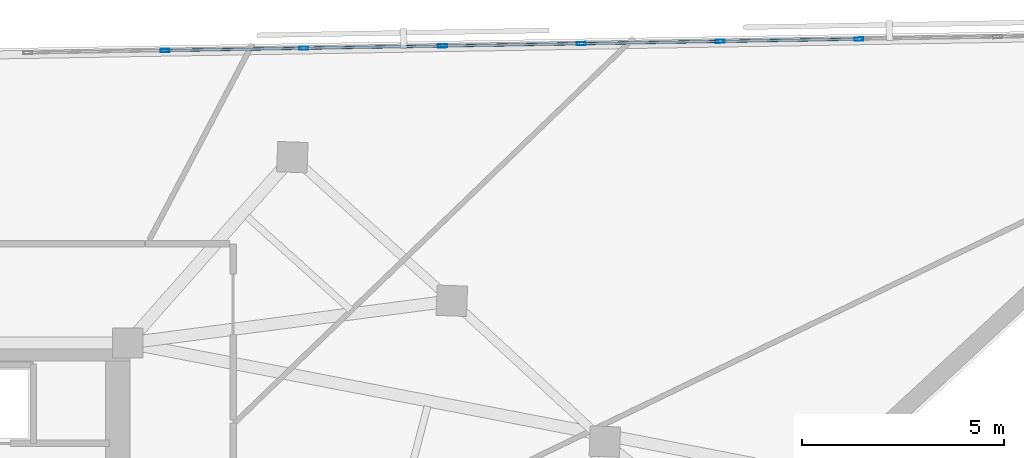
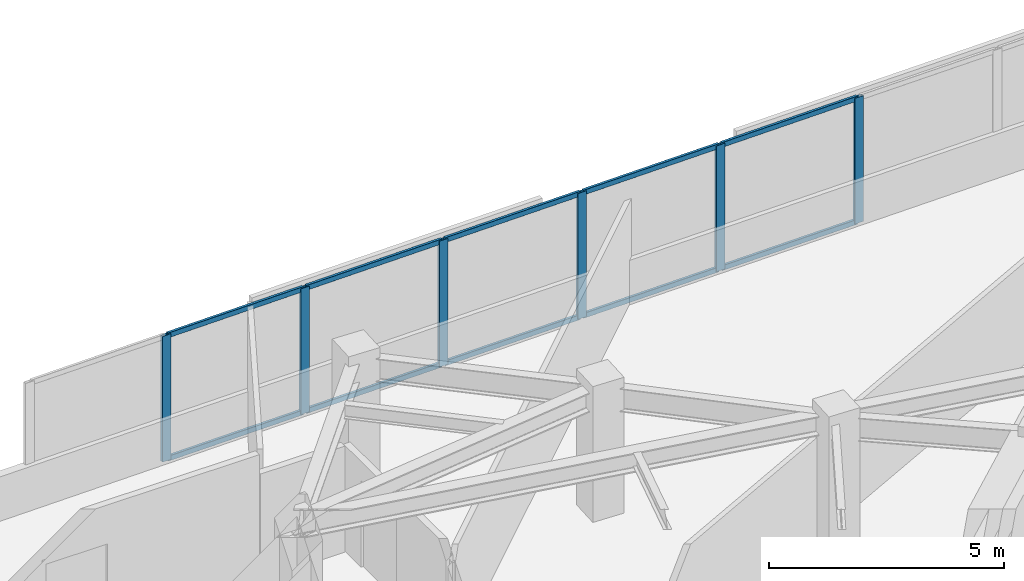
# One storey, part 5 of 11: 16 members, 1 element without a shape of its own.
"""IFC4 building model written with IfcOpenShell, lengths in metres."""

import ifcopenshell
import ifcopenshell.guid

model = None  # the IFC model being written
_history = None  # IfcOwnerHistory: only IFC2X3 demands one
_inside = {}  # id of a spatial element -> (the spatial element, [elements in it])
_under = {}  # id of a project, library or spatial element -> (it, [spatial elements below it])
_declared = {}  # id of a project -> (the project, [libraries it declares])
_typed = {}  # id of a type object -> (the type object, [elements of that type])
_made_of = {}  # id of a material, layer set ... -> (it, [elements and type objects made of it])


def new_model(schema):
    """Start an empty IFC model of exactly this schema.

    Asked for "IFC4X3", IfcOpenShell would pick the latest addendum, in which some entities
    have other attributes; the version numbers below select the first issue.
    IFC2X3 requires an IfcOwnerHistory on every rooted entity: one is made here for all.
    """
    global model, _history
    if schema == "IFC4X3":
        model = ifcopenshell.file(schema_version=(4, 3, 0, 0))
    else:
        model = ifcopenshell.file(schema=schema)
    _inside.clear()
    _under.clear()
    _declared.clear()
    _typed.clear()
    _made_of.clear()
    _history = None
    if model.schema == "IFC2X3":
        org = make("IfcOrganization", Name="unknown")
        user = make(
            "IfcPersonAndOrganization",
            ThePerson=make("IfcPerson", FamilyName="unknown"),
            TheOrganization=org,
        )
        app = make(
            "IfcApplication",
            ApplicationDeveloper=org,
            Version="unknown",
            ApplicationFullName="unknown",
            ApplicationIdentifier="unknown",
        )
        _history = make(
            "IfcOwnerHistory",
            OwningUser=user,
            OwningApplication=app,
            ChangeAction="ADDED",
            CreationDate=0,
        )
    return model


def make(cls, **values):
    """One entity of the class cls with the attributes given. An attribute that is None is left unset."""
    return model.create_entity(
        cls, **{name: value for name, value in values.items() if value is not None}
    )


def rooted(cls, **values):
    """An entity with a GlobalId (a new one), such as an element, a storey or a relation."""
    return make(cls, GlobalId=ifcopenshell.guid.new(), OwnerHistory=_history, **values)


def si_unit(unit_type, name, prefix=None):
    """IfcSIUnit, for example si_unit("LENGTHUNIT", "METRE", prefix="MILLI")."""
    return make("IfcSIUnit", UnitType=unit_type, Prefix=prefix, Name=name)


def assignment(units):
    """IfcUnitAssignment: the units of a project."""
    return None if units is None else make("IfcUnitAssignment", Units=units)


def point(xyz):
    """IfcCartesianPoint."""
    return None if xyz is None else make("IfcCartesianPoint", Coordinates=xyz)


def direction(xyz):
    """IfcDirection."""
    return None if xyz is None else make("IfcDirection", DirectionRatios=xyz)


def frame(location, z_axis=None, x_axis=None):
    """IfcAxis2Placement3D, a coordinate frame: its origin and axes. An axis left out is left unset."""
    return make(
        "IfcAxis2Placement3D",
        Location=point(location),
        Axis=direction(z_axis),
        RefDirection=direction(x_axis),
    )


def frame_2d(location, x_axis=None):
    """IfcAxis2Placement2D, a coordinate frame in the plane: its origin and x axis."""
    return make(
        "IfcAxis2Placement2D", Location=point(location), RefDirection=direction(x_axis)
    )


def origin():
    """The frame at (0, 0, 0) with its axes left unset."""
    return frame((0.0, 0.0, 0.0))


def origin_2d():
    """The frame at (0, 0) in the plane with its x axis left unset."""
    return frame_2d((0.0, 0.0))


def place(relative_to, where):
    """IfcLocalPlacement: puts the frame where relative to a parent placement (None: the world)."""
    return make(
        "IfcLocalPlacement", PlacementRelTo=relative_to, RelativePlacement=where
    )


def context(
    kind, dimensions, precision=None, world=None, true_north=None, identifier=None
):
    """IfcGeometricRepresentationContext, for example the 3D "Model" context."""
    return make(
        "IfcGeometricRepresentationContext",
        ContextIdentifier=identifier,
        ContextType=kind,
        CoordinateSpaceDimension=dimensions,
        Precision=precision,
        WorldCoordinateSystem=world,
        TrueNorth=true_north,
    )


def subcontext(parent, identifier, kind, view, scale=None):
    """IfcGeometricRepresentationSubContext, for example "Body" below "Model"."""
    return make(
        "IfcGeometricRepresentationSubContext",
        ContextIdentifier=identifier,
        ContextType=kind,
        ParentContext=parent,
        TargetScale=scale,
        TargetView=view,
    )


def project(units=None, contexts=None):
    """IfcProject with its units and contexts."""
    return rooted(
        "IfcProject",
        Name="project",
        RepresentationContexts=contexts,
        UnitsInContext=assignment(units),
    )


def spatial(cls, under=None, at=None, **own):
    """A site, building, storey or space (cls), placed at a placement, below another one or the project."""
    s = rooted(cls, ObjectPlacement=at, **own)
    if under is not None:
        _under.setdefault(under.id(), (under, []))[1].append(s)
    return s


def profile(cls, at=None, kind="AREA", **sizes):
    """A parametric profile (cls). Its sizes go by their IFC names, for example OverallWidth=200.0."""
    return make(cls, ProfileType=kind, Position=at, **sizes)


def hollow_rectangle(**sizes):
    """IfcRectangleHollowProfileDef."""
    return profile("IfcRectangleHollowProfileDef", **sizes)


def extrude(swept, where, along, depth):
    """IfcExtrudedAreaSolid: the profile swept, set in the frame where, extruded along a direction by depth."""
    return make(
        "IfcExtrudedAreaSolid",
        SweptArea=swept,
        Position=where,
        ExtrudedDirection=direction(along),
        Depth=depth,
    )


def shape(context_of_items, identifier, shape_type, items):
    """IfcShapeRepresentation: the items that make up one representation, for example the "Body"."""
    return make(
        "IfcShapeRepresentation",
        ContextOfItems=context_of_items,
        RepresentationIdentifier=identifier,
        RepresentationType=shape_type,
        Items=items,
    )


def material(Name=None, Category=None):
    """IfcMaterial."""
    return make("IfcMaterial", Name=Name, Category=Category)


def material_profile(
    of_material, cross_section, Name=None, Category=None, Priority=None
):
    """IfcMaterialProfile: a cross section and its material."""
    return make(
        "IfcMaterialProfile",
        Name=Name,
        Material=of_material,
        Profile=cross_section,
        Priority=Priority,
        Category=Category,
    )


def profile_set(profiles, Name=None, composite=None):
    """IfcMaterialProfileSet."""
    return make(
        "IfcMaterialProfileSet",
        Name=Name,
        MaterialProfiles=profiles,
        CompositeProfile=composite,
    )


def made_of(thing, what):
    """Note that an element or type object is made of a material, layer set ...; save() writes the relation."""
    if what is not None:
        _made_of.setdefault(what.id(), (what, []))[1].append(thing)
    return thing


def type_object(cls, material=None, **own):
    """A type object (cls), such as IfcWallType, which elements share."""
    return made_of(rooted(cls, **own), material)


def element(
    cls,
    number,
    at=None,
    inside=None,
    cuts=None,
    type_object=None,
    material=None,
    context=None,
    identifier="Body",
    shape_type=None,
    held_by="IfcProductDefinitionShape",
    body=None,
    shapes=None,
    **own,
):
    """One element of the class cls, such as IfcWall. Its Tag is "e" and its number.

    at: its placement. inside: the storey or other place that contains it. cuts: it is an
    opening in that element (IfcRelVoidsElement). A single representation is given by context,
    identifier, shape_type and body (its items); several are given by shapes. held_by: the class
    of the entity that holds the representations. save() writes the other relations.
    """
    e = rooted(cls, Tag="e%d" % number, ObjectPlacement=at, **own)
    if body is not None:
        shapes = [shape(context, identifier, shape_type, body)]
    if shapes is not None:
        e.Representation = make(held_by, Representations=shapes)
    if inside is not None:
        _inside.setdefault(inside.id(), (inside, []))[1].append(e)
    if cuts is not None:
        rooted(
            "IfcRelVoidsElement", RelatingBuildingElement=cuts, RelatedOpeningElement=e
        )
    if type_object is not None:
        _typed.setdefault(type_object.id(), (type_object, []))[1].append(e)
    return made_of(e, material)


def aggregate(whole, parts):
    """IfcRelAggregates: a whole, such as a stair, and the parts it consists of."""
    return rooted("IfcRelAggregates", RelatingObject=whole, RelatedObjects=parts)


def save(model, path):
    """Write the relations noted so far, then the file.

    IfcRelAggregates (storeys below a building ...), IfcRelContainedInSpatialStructure (elements
    in a storey), IfcRelDefinesByType, IfcRelAssociatesMaterial and IfcRelDeclares: one each for
    every whole, place, type object, material and project.
    """
    for whole, parts in _under.values():
        aggregate(whole, parts)
    for where, things in _inside.values():
        rooted(
            "IfcRelContainedInSpatialStructure",
            RelatedElements=things,
            RelatingStructure=where,
        )
    for kind, things in _typed.values():
        rooted("IfcRelDefinesByType", RelatedObjects=things, RelatingType=kind)
    for what, things in _made_of.values():
        rooted("IfcRelAssociatesMaterial", RelatedObjects=things, RelatingMaterial=what)
    for by, libraries in _declared.values():
        rooted("IfcRelDeclares", RelatingContext=by, RelatedDefinitions=libraries)
    model.write(path)


model = new_model("IFC4")

# Units and contexts
model_context = context("Model", 3, precision=1e-05, world=origin(), true_north=direction((0.0, 1.0)))
body_context = subcontext(model_context, "Body", "Model", "MODEL_VIEW")
ifc_project = project(units=[si_unit("LENGTHUNIT", "METRE"), si_unit("AREAUNIT", "SQUARE_METRE"), si_unit("VOLUMEUNIT", "CUBIC_METRE"), si_unit("PLANEANGLEUNIT", "RADIAN"), si_unit("MASSUNIT", "GRAM", prefix="KILO")], contexts=[model_context])

# Site, building, storey
site_placement = place(None, origin())
site = spatial("IfcSite", under=ifc_project, at=site_placement, CompositionType="ELEMENT")
building_placement = place(site_placement, origin())
building = spatial("IfcBuilding", under=site, at=building_placement, Name="Narakoshi Arena Tower", CompositionType="ELEMENT")
storey_placement = place(building_placement, frame((0.0, 0.0, 285.3798828125)))
storey = spatial("IfcBuildingStorey", under=building, at=storey_placement, Name="L78", CompositionType="ELEMENT", Elevation=285.3798828125)

# Curtain wall, members
ifc_material = material(Name="Anodised bronze aluminium 6063-T6", Category="aluminium")
curtain_wall_type = type_object("IfcCurtainWallType", Name="CW-HYP-HIGH", PredefinedType="NOTDEFINED", material=ifc_material)
curtain_wall_placement = place(storey_placement, origin())
curtain_wall = element("IfcCurtainWall", 1, at=curtain_wall_placement, inside=storey, type_object=curtain_wall_type, Name="L78 Folded Hypotenuse Curtain Wall 1-1", PredefinedType="NOTDEFINED")
ifc_material_profile_1 = material_profile(ifc_material, hollow_rectangle(XDim=0.080078125, YDim=0.219970703125, WallThickness=0.0048828125, OuterFilletRadius=0.006103515625, at=origin_2d()), Name="MUL220x80x5")
ifc_profile_set_1 = profile_set([ifc_material_profile_1], Name="Anodised bronze aluminium 6063-T6")
member_type_1 = type_object("IfcMemberType", Name="MEM-MUL-220", PredefinedType="MULLION", material=ifc_profile_set_1)
member_1_placement = place(storey_placement, frame((103.604248046875, 64.005615234375, 0.0), z_axis=(0.0, 0.0, 1.0), x_axis=(0.016442997569, -0.999864804777, 0.0)))
member_1 = element("IfcMember", 2, at=member_1_placement, type_object=member_type_1, Name="CW-03 mullion 3", PredefinedType="MULLION", context=body_context, shape_type="SweptSolid", body=[
    extrude(hollow_rectangle(XDim=0.080078125, YDim=0.219970703125, WallThickness=0.0048828125, OuterFilletRadius=0.006103515625, at=origin_2d()), origin(), (0.0, 0.0, 1.0), 3.260009765625),
])
member_2_placement = place(storey_placement, frame((100.177001953125, 63.94921875, 0.0), z_axis=(0.0, 0.0, 1.0), x_axis=(0.016442997569, -0.999864804777, 0.0)))
member_2 = element("IfcMember", 3, at=member_2_placement, type_object=member_type_1, Name="CW-03 mullion 4", PredefinedType="MULLION", context=body_context, shape_type="SweptSolid", body=[
    extrude(hollow_rectangle(XDim=0.080078125, YDim=0.219970703125, WallThickness=0.0048828125, OuterFilletRadius=0.006103515625, at=origin_2d()), origin(), (0.0, 0.0, 1.0), 3.260009765625),
])
member_3_placement = place(storey_placement, frame((96.749755859375, 63.89306640625, 0.0), z_axis=(0.0, 0.0, 1.0), x_axis=(0.016442997569, -0.999864804777, 0.0)))
member_3 = element("IfcMember", 4, at=member_3_placement, type_object=member_type_1, Name="CW-03 mullion 5", PredefinedType="MULLION", context=body_context, shape_type="SweptSolid", body=[
    extrude(hollow_rectangle(XDim=0.080078125, YDim=0.219970703125, WallThickness=0.0048828125, OuterFilletRadius=0.006103515625, at=origin_2d()), origin(), (0.0, 0.0, 1.0), 3.260009765625),
])
member_4_placement = place(storey_placement, frame((93.322509765625, 63.836669921875, 0.0), z_axis=(0.0, 0.0, 1.0), x_axis=(0.016442997569, -0.999864804777, 0.0)))
member_4 = element("IfcMember", 5, at=member_4_placement, type_object=member_type_1, Name="CW-03 mullion 6", PredefinedType="MULLION", context=body_context, shape_type="SweptSolid", body=[
    extrude(hollow_rectangle(XDim=0.080078125, YDim=0.219970703125, WallThickness=0.0048828125, OuterFilletRadius=0.006103515625, at=origin_2d()), origin(), (0.0, 0.0, 1.0), 3.260009765625),
])
member_5_placement = place(storey_placement, frame((89.895263671875, 63.7802734375, 0.0), z_axis=(0.0, 0.0, 1.0), x_axis=(0.016442997569, -0.999864804777, 0.0)))
member_5 = element("IfcMember", 6, at=member_5_placement, type_object=member_type_1, Name="CW-03 mullion 7", PredefinedType="MULLION", context=body_context, shape_type="SweptSolid", body=[
    extrude(hollow_rectangle(XDim=0.080078125, YDim=0.219970703125, WallThickness=0.0048828125, OuterFilletRadius=0.006103515625, at=origin_2d()), origin(), (0.0, 0.0, 1.0), 3.260009765625),
])
member_6_placement = place(storey_placement, frame((86.4677734375, 63.723876953125, 0.0), z_axis=(0.0, 0.0, 1.0), x_axis=(0.016442997569, -0.999864804777, 0.0)))
member_6 = element("IfcMember", 7, at=member_6_placement, type_object=member_type_1, Name="CW-03 mullion 8", PredefinedType="MULLION", context=body_context, shape_type="SweptSolid", body=[
    extrude(hollow_rectangle(XDim=0.080078125, YDim=0.219970703125, WallThickness=0.0048828125, OuterFilletRadius=0.006103515625, at=origin_2d()), origin(), (0.0, 0.0, 1.0), 3.260009765625),
])
ifc_material_profile_2 = material_profile(ifc_material, hollow_rectangle(XDim=0.06494140625, YDim=0.1298828125, WallThickness=0.00390625, OuterFilletRadius=0.0048828125, at=origin_2d()), Name="TRN130x65x4")
ifc_profile_set_2 = profile_set([ifc_material_profile_2], Name="Anodised bronze aluminium 6063-T6")
member_type_2 = type_object("IfcMemberType", Name="MEM-TRN-130", PredefinedType="USERDEFINED", material=ifc_profile_set_2)
member_7_placement = place(storey_placement, frame((103.564208984375, 64.005126953125, 0.03271484375), z_axis=(-0.999864161313, -0.016482078808, 0.0), x_axis=(0.016482078808, -0.999864161313, 0.0)))
member_7 = element("IfcMember", 8, at=member_7_placement, type_object=member_type_2, Name="CW-03 transom 3.1", ObjectType="TRANSOM", PredefinedType="USERDEFINED", context=body_context, shape_type="SweptSolid", body=[
    extrude(hollow_rectangle(XDim=0.06494140625, YDim=0.1298828125, WallThickness=0.00390625, OuterFilletRadius=0.0048828125, at=origin_2d()), origin(), (0.0, 0.0, 1.0), 3.34765625),
])
member_8_placement = place(storey_placement, frame((103.564208984375, 64.005126953125, 3.2275390625), z_axis=(-0.999864161313, -0.016482078808, 0.0), x_axis=(0.016482078808, -0.999864161313, 0.0)))
member_8 = element("IfcMember", 9, at=member_8_placement, type_object=member_type_2, Name="CW-03 transom 3.2", ObjectType="TRANSOM", PredefinedType="USERDEFINED", context=body_context, shape_type="SweptSolid", body=[
    extrude(hollow_rectangle(XDim=0.06494140625, YDim=0.1298828125, WallThickness=0.00390625, OuterFilletRadius=0.0048828125, at=origin_2d()), origin(), (0.0, 0.0, 1.0), 3.34765625),
])
member_9_placement = place(storey_placement, frame((100.136962890625, 63.94873046875, 0.03271484375), z_axis=(-0.999864161313, -0.016482078808, 0.0), x_axis=(0.016482078808, -0.999864161313, 0.0)))
member_9 = element("IfcMember", 10, at=member_9_placement, type_object=member_type_2, Name="CW-03 transom 4.1", ObjectType="TRANSOM", PredefinedType="USERDEFINED", context=body_context, shape_type="SweptSolid", body=[
    extrude(hollow_rectangle(XDim=0.06494140625, YDim=0.1298828125, WallThickness=0.00390625, OuterFilletRadius=0.0048828125, at=origin_2d()), origin(), (0.0, 0.0, 1.0), 3.34765625),
])
member_10_placement = place(storey_placement, frame((100.136962890625, 63.94873046875, 3.2275390625), z_axis=(-0.999864161313, -0.016482078808, 0.0), x_axis=(0.016482078808, -0.999864161313, 0.0)))
member_10 = element("IfcMember", 11, at=member_10_placement, type_object=member_type_2, Name="CW-03 transom 4.2", ObjectType="TRANSOM", PredefinedType="USERDEFINED", context=body_context, shape_type="SweptSolid", body=[
    extrude(hollow_rectangle(XDim=0.06494140625, YDim=0.1298828125, WallThickness=0.00390625, OuterFilletRadius=0.0048828125, at=origin_2d()), origin(), (0.0, 0.0, 1.0), 3.34765625),
])
member_11_placement = place(storey_placement, frame((96.709716796875, 63.892333984375, 0.03271484375), z_axis=(-0.999864161313, -0.016482078808, 0.0), x_axis=(0.016482078808, -0.999864161313, 0.0)))
member_11 = element("IfcMember", 12, at=member_11_placement, type_object=member_type_2, Name="CW-03 transom 5.1", ObjectType="TRANSOM", PredefinedType="USERDEFINED", context=body_context, shape_type="SweptSolid", body=[
    extrude(hollow_rectangle(XDim=0.06494140625, YDim=0.1298828125, WallThickness=0.00390625, OuterFilletRadius=0.0048828125, at=origin_2d()), origin(), (0.0, 0.0, 1.0), 3.34765625),
])
member_12_placement = place(storey_placement, frame((96.709716796875, 63.892333984375, 3.2275390625), z_axis=(-0.999864161313, -0.016482078808, 0.0), x_axis=(0.016482078808, -0.999864161313, 0.0)))
member_12 = element("IfcMember", 13, at=member_12_placement, type_object=member_type_2, Name="CW-03 transom 5.2", ObjectType="TRANSOM", PredefinedType="USERDEFINED", context=body_context, shape_type="SweptSolid", body=[
    extrude(hollow_rectangle(XDim=0.06494140625, YDim=0.1298828125, WallThickness=0.00390625, OuterFilletRadius=0.0048828125, at=origin_2d()), origin(), (0.0, 0.0, 1.0), 3.34765625),
])
member_13_placement = place(storey_placement, frame((93.282470703125, 63.8359375, 0.03271484375), z_axis=(-0.999864181123, -0.016480877028, 0.0), x_axis=(0.016480877028, -0.999864181123, 0.0)))
member_13 = element("IfcMember", 14, at=member_13_placement, type_object=member_type_2, Name="CW-03 transom 6.1", ObjectType="TRANSOM", PredefinedType="USERDEFINED", context=body_context, shape_type="SweptSolid", body=[
    extrude(hollow_rectangle(XDim=0.06494140625, YDim=0.1298828125, WallThickness=0.00390625, OuterFilletRadius=0.0048828125, at=origin_2d()), origin(), (0.0, 0.0, 1.0), 3.347900390625),
])
member_14_placement = place(storey_placement, frame((93.282470703125, 63.8359375, 3.2275390625), z_axis=(-0.999864181123, -0.016480877028, 0.0), x_axis=(0.016480877028, -0.999864181123, 0.0)))
member_14 = element("IfcMember", 15, at=member_14_placement, type_object=member_type_2, Name="CW-03 transom 6.2", ObjectType="TRANSOM", PredefinedType="USERDEFINED", context=body_context, shape_type="SweptSolid", body=[
    extrude(hollow_rectangle(XDim=0.06494140625, YDim=0.1298828125, WallThickness=0.00390625, OuterFilletRadius=0.0048828125, at=origin_2d()), origin(), (0.0, 0.0, 1.0), 3.347900390625),
])
member_15_placement = place(storey_placement, frame((89.855224609375, 63.779541015625, 0.03271484375), z_axis=(-0.999865380158, -0.01640797247, 0.0), x_axis=(0.01640797247, -0.999865380158, 0.0)))
member_15 = element("IfcMember", 16, at=member_15_placement, type_object=member_type_2, Name="CW-03 transom 7.1", ObjectType="TRANSOM", PredefinedType="USERDEFINED", context=body_context, shape_type="SweptSolid", body=[
    extrude(hollow_rectangle(XDim=0.06494140625, YDim=0.1298828125, WallThickness=0.00390625, OuterFilletRadius=0.0048828125, at=origin_2d()), origin(), (0.0, 0.0, 1.0), 3.347900390625),
])
member_16_placement = place(storey_placement, frame((89.855224609375, 63.779541015625, 3.2275390625), z_axis=(-0.999865380158, -0.01640797247, 0.0), x_axis=(0.01640797247, -0.999865380158, 0.0)))
member_16 = element("IfcMember", 17, at=member_16_placement, type_object=member_type_2, Name="CW-03 transom 7.2", ObjectType="TRANSOM", PredefinedType="USERDEFINED", context=body_context, shape_type="SweptSolid", body=[
    extrude(hollow_rectangle(XDim=0.06494140625, YDim=0.1298828125, WallThickness=0.00390625, OuterFilletRadius=0.0048828125, at=origin_2d()), origin(), (0.0, 0.0, 1.0), 3.347900390625),
])
aggregate(curtain_wall, [member_1, member_2, member_3, member_4, member_5, member_6, member_7, member_8, member_9, member_10, member_11, member_12, member_13, member_14, member_15, member_16])

save(model, "model.ifc")
